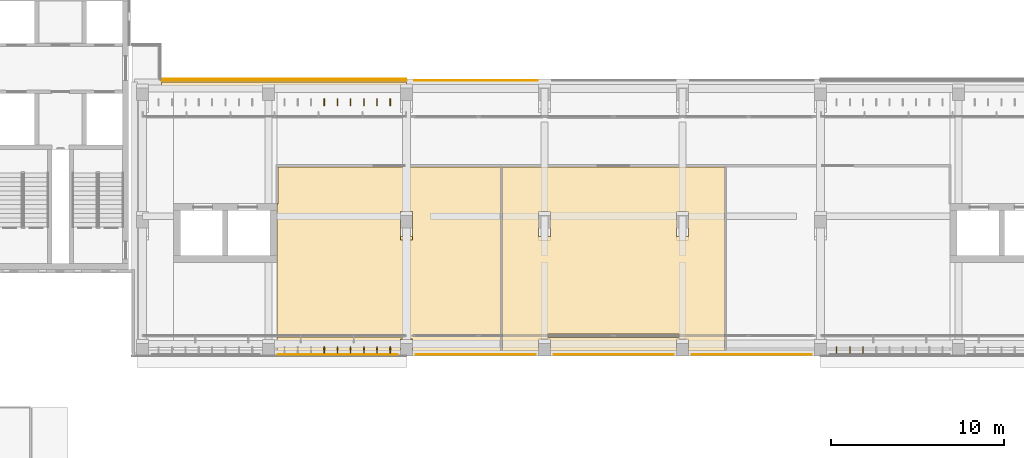
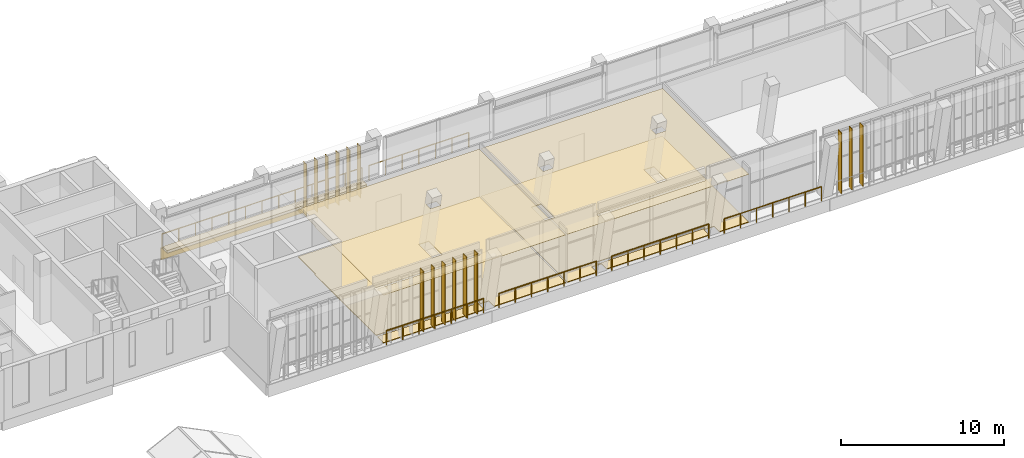
# One storey, part 55 of 73: 15 shading devices, 6 coverings, 6 railings.
"""IFC4 building model written with IfcOpenShell, lengths in metres."""

from ifc_helpers import new_model, si_unit, direction, frame, frame_2d, origin, origin_2d, place, context, subcontext, project, spatial, polyline, rectangle, circle, outline, extrude, material, layer, layer_set, type_object, element, save


model = new_model("IFC4")

# Units and contexts
model_context = context("Model", 3, precision=1e-05, world=origin(), true_north=direction((0.0, 1.0)))
body_context = subcontext(model_context, "Body", "Model", "MODEL_VIEW")
ifc_project = project(units=[si_unit("LENGTHUNIT", "METRE"), si_unit("AREAUNIT", "SQUARE_METRE"), si_unit("VOLUMEUNIT", "CUBIC_METRE"), si_unit("PLANEANGLEUNIT", "RADIAN"), si_unit("MASSUNIT", "GRAM", prefix="KILO")], contexts=[model_context])

# Site, building, storey
site_placement = place(None, origin())
site = spatial("IfcSite", under=ifc_project, at=site_placement, CompositionType="ELEMENT")
building_placement = place(site_placement, origin())
building = spatial("IfcBuilding", under=site, at=building_placement, Name="Lantern Court Media Centre", CompositionType="ELEMENT")
storey_placement = place(building_placement, frame((0.0, 0.0, 24.0)))
storey = spatial("IfcBuildingStorey", under=building, at=storey_placement, Name="L05", CompositionType="ELEMENT", Elevation=24.0)

# Coverings
ifc_material_1 = material(Name="Carpet")
ifc_layer_1 = layer(ifc_material_1, 0.050048828125)
ifc_layer_set_1 = layer_set([ifc_layer_1], Name="Carpet")
covering_type_1 = type_object("IfcCoveringType", Name="Carpet floor finish", PredefinedType="FLOORING", material=ifc_layer_set_1)
covering_1_placement = place(storey_placement, origin())
element("IfcCovering", 1, at=covering_1_placement, inside=storey, type_object=covering_type_1, Name="Exhibition Gallery floor finish", PredefinedType="FLOORING", context=body_context, shape_type="SweptSolid", body=[
    extrude(outline(polyline([(32.5, 44.22998046875), (32.5048828125, 51.794921875), (32.5673828125, 51.800048828125), (32.5673828125, 53.9326171875), (45.445068359375, 53.9326171875), (45.445068359375, 43.300048828125), (40.35498046875, 43.300048828125), (40.35009765625, 43.955078125), (39.646484375, 43.95361328125), (39.64501953125, 43.300048828125), (32.5, 43.300048828125), (32.5, 44.070068359375), (39.804931640625, 44.074951171875), (39.800048828125, 44.22998046875), (32.5, 44.22998046875)]), holes=[polyline([(40.35009765625, 49.69091796875), (40.354736328125, 51.351806640625), (39.648193359375, 51.354736328125), (39.645263671875, 49.69384765625), (40.35009765625, 49.69091796875)])]), origin(), (0.0, 0.0, 1.0), 0.050048828125),
])
covering_2_placement = place(storey_placement, origin())
element("IfcCovering", 2, at=covering_2_placement, inside=storey, type_object=covering_type_1, Name="Community Room 01 floor finish", PredefinedType="FLOORING", context=body_context, shape_type="SweptSolid", body=[
    extrude(outline(polyline([(45.554931640625, 43.300048828125), (45.554931640625, 53.9326171875), (58.445068359375, 53.9326171875), (58.445068359375, 43.300048828125), (56.35498046875, 43.300048828125), (56.35009765625, 43.955078125), (55.646484375, 43.95361328125), (55.64501953125, 43.300048828125), (48.35498046875, 43.300048828125), (48.35009765625, 43.955078125), (47.646484375, 43.95361328125), (47.64501953125, 43.300048828125), (45.554931640625, 43.300048828125)]), holes=[polyline([(56.35009765625, 49.69091796875), (56.354736328125, 51.351806640625), (55.648193359375, 51.354736328125), (55.645263671875, 49.69384765625), (56.35009765625, 49.69091796875)]), polyline([(48.195068359375, 44.050048828125), (55.800048828125, 44.044921875), (55.804931640625, 44.25), (48.199951171875, 44.2548828125), (48.195068359375, 44.050048828125)]), polyline([(48.35009765625, 49.69091796875), (48.354736328125, 51.351806640625), (47.648193359375, 51.354736328125), (47.645263671875, 49.69384765625), (48.35009765625, 49.69091796875)])]), origin(), (0.0, 0.0, 1.0), 0.050048828125),
])

# Railings
ifc_material_2 = material(Name="Powder-coated steel", Category="steel")
railing_type_1 = type_object("IfcRailingType", Name="Floor edge guard 1100", PredefinedType="GUARDRAIL", material=ifc_material_2)
railing_1_placement = place(storey_placement, frame((39.470947265625, 43.06005859375, 0.0)))
element("IfcRailing", 3, at=railing_1_placement, inside=storey, type_object=railing_type_1, Name="L05 edge guard 171", PredefinedType="GUARDRAIL", context=body_context, shape_type="SweptSolid", body=[
    extrude(circle(Radius=0.02392578125, at=origin_2d()), frame((0.0, 0.0, 1.076171875), z_axis=(-1.0, 0.0, 0.0), x_axis=(0.0, -1.0, 0.0)), (0.0, 0.0, 1.0), 6.89794921875),
    extrude(circle(Radius=0.02099609375, at=origin_2d()), origin(), (0.0, 0.0, 1.0), 1.052001953125),
    extrude(circle(Radius=0.02099609375, at=origin_2d()), frame((-1.149658203125, 0.0, 0.0)), (0.0, 0.0, 1.0), 1.052001953125),
    extrude(circle(Radius=0.02099609375, at=origin_2d()), frame((-2.29931640625, 0.0, 0.0)), (0.0, 0.0, 1.0), 1.052001953125),
    extrude(circle(Radius=0.02099609375, at=origin_2d()), frame((-3.448974609375, 0.0, 0.0)), (0.0, 0.0, 1.0), 1.052001953125),
    extrude(circle(Radius=0.02099609375, at=origin_2d()), frame((-4.5986328125, 0.0, 0.0)), (0.0, 0.0, 1.0), 1.052001953125),
    extrude(circle(Radius=0.02099609375, at=origin_2d()), frame((-5.748291015625, 0.0, 0.0)), (0.0, 0.0, 1.0), 1.052001953125),
    extrude(circle(Radius=0.02099609375, at=origin_2d()), frame((-6.89794921875, 0.0, 0.0)), (0.0, 0.0, 1.0), 1.052001953125),
])
railing_2_placement = place(storey_placement, frame((40.485107421875, 58.93994140625, 0.0)))
element("IfcRailing", 4, at=railing_2_placement, inside=storey, type_object=railing_type_1, Name="L05 edge guard 174", PredefinedType="GUARDRAIL", context=body_context, shape_type="SweptSolid", body=[
    extrude(circle(Radius=0.02392578125, at=origin_2d()), frame((0.0, 0.0, 1.076171875), z_axis=(1.0, 0.0, 0.0), x_axis=(0.0, 1.0, 0.0)), (0.0, 0.0, 1.0), 7.097900390625),
    extrude(circle(Radius=0.02099609375, at=origin_2d()), origin(), (0.0, 0.0, 1.0), 1.052001953125),
    extrude(circle(Radius=0.02099609375, at=origin_2d()), frame((1.18310546875, 0.0, 0.0)), (0.0, 0.0, 1.0), 1.052001953125),
    extrude(circle(Radius=0.02099609375, at=origin_2d()), frame((2.365966796875, 0.0, 0.0)), (0.0, 0.0, 1.0), 1.052001953125),
    extrude(circle(Radius=0.02099609375, at=origin_2d()), frame((3.548828125, 0.0, 0.0)), (0.0, 0.0, 1.0), 1.052001953125),
    extrude(circle(Radius=0.02099609375, at=origin_2d()), frame((4.73193359375, 0.0, 0.0)), (0.0, 0.0, 1.0), 1.052001953125),
    extrude(circle(Radius=0.02099609375, at=origin_2d()), frame((5.9150390625, 0.0, 0.0)), (0.0, 0.0, 1.0), 1.052001953125),
    extrude(circle(Radius=0.02099609375, at=origin_2d()), frame((7.097900390625, 0.0, 0.0)), (0.0, 0.0, 1.0), 1.052001953125),
])
for number, where, name in (
    (5, (47.468994140625, 43.06005859375, 0.0), "L05 edge guard 175"),
    (6, (55.467041015625, 43.06005859375, 0.0), "L05 edge guard 179"),
):
    element("IfcRailing", number, at=place(storey_placement, frame(where)), inside=storey, type_object=railing_type_1, Name=name, PredefinedType="GUARDRAIL", context=body_context, shape_type="SweptSolid", body=[
        extrude(circle(Radius=0.02392578125, at=origin_2d()), frame((0.0, 0.0, 1.076171875), z_axis=(-1.0, 0.0, 0.0), x_axis=(0.0, -1.0, 0.0)), (0.0, 0.0, 1.0), 6.89794921875),
        extrude(circle(Radius=0.02099609375, at=origin_2d()), origin(), (0.0, 0.0, 1.0), 1.052001953125),
        extrude(circle(Radius=0.02099609375, at=origin_2d()), frame((-1.149658203125, 0.0, 0.0)), (0.0, 0.0, 1.0), 1.052001953125),
        extrude(circle(Radius=0.02099609375, at=origin_2d()), frame((-2.29931640625, 0.0, 0.0)), (0.0, 0.0, 1.0), 1.052001953125),
        extrude(circle(Radius=0.02099609375, at=origin_2d()), frame((-3.448974609375, 0.0, 0.0)), (0.0, 0.0, 1.0), 1.052001953125),
        extrude(circle(Radius=0.02099609375, at=origin_2d()), frame((-4.5986328125, 0.0, 0.0)), (0.0, 0.0, 1.0), 1.052001953125),
        extrude(circle(Radius=0.02099609375, at=origin_2d()), frame((-5.748291015625, 0.0, 0.0)), (0.0, 0.0, 1.0), 1.052001953125),
        extrude(circle(Radius=0.02099609375, at=origin_2d()), frame((-6.89794921875, 0.0, 0.0)), (0.0, 0.0, 1.0), 1.052001953125),
    ])
railing_3_placement = place(storey_placement, frame((63.465087890625, 43.06005859375, 0.0)))
element("IfcRailing", 7, at=railing_3_placement, inside=storey, type_object=railing_type_1, Name="L05 edge guard 183", PredefinedType="GUARDRAIL", context=body_context, shape_type="SweptSolid", body=[
    extrude(circle(Radius=0.02392578125, at=origin_2d()), frame((0.0, 0.0, 1.076171875), z_axis=(-1.0, 0.0, 0.0), x_axis=(0.0, -1.0, 0.0)), (0.0, 0.0, 1.0), 6.898193359375),
    extrude(circle(Radius=0.02099609375, at=origin_2d()), origin(), (0.0, 0.0, 1.0), 1.052001953125),
    extrude(circle(Radius=0.02099609375, at=origin_2d()), frame((-1.149658203125, 0.0, 0.0)), (0.0, 0.0, 1.0), 1.052001953125),
    extrude(circle(Radius=0.02099609375, at=origin_2d()), frame((-2.29931640625, 0.0, 0.0)), (0.0, 0.0, 1.0), 1.052001953125),
    extrude(circle(Radius=0.02099609375, at=origin_2d()), frame((-3.44921875, 0.0, 0.0)), (0.0, 0.0, 1.0), 1.052001953125),
    extrude(circle(Radius=0.02099609375, at=origin_2d()), frame((-4.598876953125, 0.0, 0.0)), (0.0, 0.0, 1.0), 1.052001953125),
    extrude(circle(Radius=0.02099609375, at=origin_2d()), frame((-5.74853515625, 0.0, 0.0)), (0.0, 0.0, 1.0), 1.052001953125),
    extrude(circle(Radius=0.02099609375, at=origin_2d()), frame((-6.898193359375, 0.0, 0.0)), (0.0, 0.0, 1.0), 1.052001953125),
])

# Covering
ifc_material_3 = material(Name="White glass-fibre reinforced cement cladding", Category="concrete")
ifc_layer_2 = layer(ifc_material_3, 0.050048828125)
ifc_layer_set_2 = layer_set([ifc_layer_2], Name="White glass-fibre reinforced cement cladding")
covering_type_2 = type_object("IfcCoveringType", Name="Floor-edge band 50", PredefinedType="CLADDING", material=ifc_layer_set_2)
covering_3_placement = place(storey_placement, frame((25.75, 59.02490234375, -0.89990234375), z_axis=(0.0, 0.0, 1.0), x_axis=(1.0, 0.0, 0.0)))
element("IfcCovering", 8, at=covering_3_placement, inside=storey, type_object=covering_type_2, Name="Floor-edge band S inner L05", PredefinedType="CLADDING", context=body_context, shape_type="SweptSolid", body=[
    extrude(rectangle(XDim=14.25, YDim=0.050048828125, at=frame_2d((7.125, 0.0))), origin(), (0.0, 0.0, 1.0), 0.89990234375),
])

# Railing
ifc_material_4 = material(Name="Painted mild steel balustrade", Category="steel")
railing_type_2 = type_object("IfcRailingType", Name="Guard 1100 steel balustrade", PredefinedType="GUARDRAIL", material=ifc_material_4)
railing_4_placement = place(storey_placement, frame((25.800048828125, 58.949951171875, 0.0)))
element("IfcRailing", 9, at=railing_4_placement, inside=storey, type_object=railing_type_2, Name="Ledge guard S L05", PredefinedType="GUARDRAIL", context=body_context, shape_type="SweptSolid", body=[
    extrude(circle(Radius=0.02392578125, at=origin_2d()), frame((0.0, 0.0, 1.076171875), z_axis=(1.0, 0.0, 0.0), x_axis=(0.0, 1.0, 0.0)), (0.0, 0.0, 1.0), 14.199951171875),
    extrude(circle(Radius=0.02099609375, at=origin_2d()), origin(), (0.0, 0.0, 1.0), 1.052001953125),
    extrude(circle(Radius=0.02099609375, at=origin_2d()), frame((1.183349609375, 0.0, 0.0)), (0.0, 0.0, 1.0), 1.052001953125),
    extrude(circle(Radius=0.02099609375, at=origin_2d()), frame((2.36669921875, 0.0, 0.0)), (0.0, 0.0, 1.0), 1.052001953125),
    extrude(circle(Radius=0.02099609375, at=origin_2d()), frame((3.550048828125, 0.0, 0.0)), (0.0, 0.0, 1.0), 1.052001953125),
    extrude(circle(Radius=0.02099609375, at=origin_2d()), frame((4.7333984375, 0.0, 0.0)), (0.0, 0.0, 1.0), 1.052001953125),
    extrude(circle(Radius=0.02099609375, at=origin_2d()), frame((5.916748046875, 0.0, 0.0)), (0.0, 0.0, 1.0), 1.052001953125),
    extrude(circle(Radius=0.02099609375, at=origin_2d()), frame((7.10009765625, 0.0, 0.0)), (0.0, 0.0, 1.0), 1.052001953125),
    extrude(circle(Radius=0.02099609375, at=origin_2d()), frame((8.283203125, 0.0, 0.0)), (0.0, 0.0, 1.0), 1.052001953125),
    extrude(circle(Radius=0.02099609375, at=origin_2d()), frame((9.466552734375, 0.0, 0.0)), (0.0, 0.0, 1.0), 1.052001953125),
    extrude(circle(Radius=0.02099609375, at=origin_2d()), frame((10.64990234375, 0.0, 0.0)), (0.0, 0.0, 1.0), 1.052001953125),
    extrude(circle(Radius=0.02099609375, at=origin_2d()), frame((11.833251953125, 0.0, 0.0)), (0.0, 0.0, 1.0), 1.052001953125),
    extrude(circle(Radius=0.02099609375, at=origin_2d()), frame((13.0166015625, 0.0, 0.0)), (0.0, 0.0, 1.0), 1.052001953125),
    extrude(circle(Radius=0.02099609375, at=origin_2d()), frame((14.199951171875, 0.0, 0.0)), (0.0, 0.0, 1.0), 1.052001953125),
])

# Coverings
ifc_material_5 = material(Name="Planting substrate")
ifc_layer_3 = layer(ifc_material_5, 0.199951171875)
ifc_layer_set_3 = layer_set([ifc_layer_3], Name="Planting substrate")
covering_type_3 = type_object("IfcCoveringType", Name="Planted ledge build-up 200", PredefinedType="ROOFING", material=ifc_layer_set_3)
covering_4_placement = place(storey_placement, origin())
element("IfcCovering", 10, at=covering_4_placement, inside=storey, type_object=covering_type_3, Name="Planted ledge S L05", PredefinedType="ROOFING", context=body_context, shape_type="SweptSolid", body=[
    extrude(outline(polyline([(25.800048828125, 58.85009765625), (40.0, 58.85009765625), (40.0, 58.320068359375), (25.800048828125, 58.320068359375), (25.800048828125, 58.85009765625)])), origin(), (0.0, 0.0, 1.0), 0.199951171875),
])
ifc_material_6 = material(Name="Mineral fibre ceiling tile")
ifc_layer_4 = layer(ifc_material_6, 0.02001953125)
ifc_layer_set_4 = layer_set([ifc_layer_4], Name="Mineral fibre ceiling tile")
covering_type_4 = type_object("IfcCoveringType", Name="Suspended ceiling tile", PredefinedType="CEILING", material=ifc_layer_set_4)
covering_5_placement = place(storey_placement, frame((0.0, 0.0, 3.60009765625)))
element("IfcCovering", 11, at=covering_5_placement, inside=storey, type_object=covering_type_4, Name="Exhibition Gallery ceiling", PredefinedType="CEILING", context=body_context, shape_type="SweptSolid", body=[
    extrude(outline(polyline([(32.5, 44.2255859375), (32.50048828125, 51.799560546875), (32.56298828125, 51.800048828125), (32.56298828125, 53.93701171875), (45.449462890625, 53.93701171875), (45.449462890625, 43.300048828125), (32.5, 43.300048828125), (32.5, 44.074462890625), (39.800537109375, 44.074951171875), (39.800048828125, 44.2255859375), (32.5, 44.2255859375)]), holes=[polyline([(40.3505859375, 50.395751953125), (39.649658203125, 50.396240234375), (39.649658203125, 49.897705078125), (40.350341796875, 49.8974609375), (40.3505859375, 50.395751953125)])]), origin(), (0.0, 0.0, 1.0), 0.02001953125),
])
covering_6_placement = place(storey_placement, frame((0.0, 0.0, 3.60009765625)))
element("IfcCovering", 12, at=covering_6_placement, inside=storey, type_object=covering_type_4, Name="Community Room 01 ceiling", PredefinedType="CEILING", context=body_context, shape_type="SweptSolid", body=[
    extrude(outline(polyline([(45.550537109375, 43.300048828125), (45.550537109375, 53.93701171875), (58.449462890625, 53.93701171875), (58.449462890625, 43.300048828125), (45.550537109375, 43.300048828125)]), holes=[polyline([(56.3505859375, 50.395751953125), (55.649658203125, 50.396240234375), (55.649658203125, 49.897705078125), (56.350341796875, 49.8974609375), (56.3505859375, 50.395751953125)]), polyline([(48.199462890625, 44.050048828125), (55.800048828125, 44.049560546875), (55.800537109375, 44.25), (48.199951171875, 44.25048828125), (48.199462890625, 44.050048828125)]), polyline([(48.3505859375, 50.395751953125), (47.649658203125, 50.396240234375), (47.649658203125, 49.897705078125), (48.350341796875, 49.8974609375), (48.3505859375, 50.395751953125)])]), origin(), (0.0, 0.0, 1.0), 0.02001953125),
])

# Shading devices
ifc_material_7 = material(Name="Bronze anodised aluminium louvre", Category="aluminium")
ifc_layer_5 = layer(ifc_material_7, 0.0400390625)
ifc_layer_set_5 = layer_set([ifc_layer_5], Name="Bronze anodised aluminium louvre")
shading_device_type_1 = type_object("IfcShadingDeviceType", Name="Vertical louvre 40x400 full storey", PredefinedType="USERDEFINED", material=ifc_layer_set_5)
for number, where, z_axis, x_axis, name in (
    (13, (35.2333984375, 43.320068359375, 0.0), (0.0, 0.0, 1.0), (1.0, 0.0, 0.0), "Vertical louvre S outer L05"),
    (14, (36.0, 43.320068359375, 0.0), (0.0, 0.0, 1.0), (1.0, 0.0, 0.0), "Vertical louvre S outer L05"),
    (15, (36.7666015625, 43.320068359375, 0.0), (0.0, 0.0, 1.0), (1.0, 0.0, 0.0), "Vertical louvre S outer L05"),
    (16, (37.533447265625, 43.320068359375, 0.0), (0.0, 0.0, 1.0), (1.0, 0.0, 0.0), "Vertical louvre S outer L05"),
    (17, (38.300048828125, 43.320068359375, 0.0), (0.0, 0.0, 1.0), (1.0, 0.0, 0.0), "Vertical louvre S outer L05"),
    (18, (39.066650390625, 43.320068359375, 0.0), (0.0, 0.0, 1.0), (1.0, 0.0, 0.0), "Vertical louvre S outer L05"),
    (19, (64.933349609375, 43.320068359375, 0.0), (0.0, 0.0, 1.0), (1.0, 0.0, 0.0), "Vertical louvre S outer L05"),
    (20, (65.699951171875, 43.320068359375, 0.0), (0.0, 0.0, 1.0), (1.0, 0.0, 0.0), "Vertical louvre S outer L05"),
    (21, (66.466552734375, 43.320068359375, 0.0), (0.0, 0.0, 1.0), (1.0, 0.0, 0.0), "Vertical louvre S outer L05"),
):
    element("IfcShadingDevice", number, at=place(storey_placement, frame(where, z_axis=z_axis, x_axis=x_axis)), inside=storey, type_object=shading_device_type_1, Name=name, ObjectType="VERTICAL LOUVRE", PredefinedType="USERDEFINED", context=body_context, shape_type="SweptSolid", body=[
        extrude(rectangle(XDim=0.0400390625, YDim=0.39990234375, at=origin_2d()), origin(), (0.0, 0.0, 1.0), 4.580078125),
    ])
ifc_layer_6 = layer(ifc_material_7, 0.0400390625)
ifc_layer_set_6 = layer_set([ifc_layer_6], Name="Bronze anodised aluminium louvre")
shading_device_type_2 = type_object("IfcShadingDeviceType", Name="Vertical louvre 40x400 under beam", PredefinedType="USERDEFINED", material=ifc_layer_set_6)
for number, where, z_axis, x_axis, name in (
    (22, (35.2333984375, 57.679931640625, 0.0), (0.0, 0.0, 1.0), (1.0, 0.0, 0.0), "Vertical louvre S inner L05"),
    (23, (36.0, 57.679931640625, 0.0), (0.0, 0.0, 1.0), (1.0, 0.0, 0.0), "Vertical louvre S inner L05"),
    (24, (36.7666015625, 57.679931640625, 0.0), (0.0, 0.0, 1.0), (1.0, 0.0, 0.0), "Vertical louvre S inner L05"),
    (25, (37.533447265625, 57.679931640625, 0.0), (0.0, 0.0, 1.0), (1.0, 0.0, 0.0), "Vertical louvre S inner L05"),
    (26, (38.300048828125, 57.679931640625, 0.0), (0.0, 0.0, 1.0), (1.0, 0.0, 0.0), "Vertical louvre S inner L05"),
    (27, (39.066650390625, 57.679931640625, 0.0), (0.0, 0.0, 1.0), (1.0, 0.0, 0.0), "Vertical louvre S inner L05"),
):
    element("IfcShadingDevice", number, at=place(storey_placement, frame(where, z_axis=z_axis, x_axis=x_axis)), inside=storey, type_object=shading_device_type_2, Name=name, ObjectType="VERTICAL LOUVRE", PredefinedType="USERDEFINED", context=body_context, shape_type="SweptSolid", body=[
        extrude(rectangle(XDim=0.0400390625, YDim=0.39990234375, at=origin_2d()), origin(), (0.0, 0.0, 1.0), 3.89990234375),
    ])

save(model, "model.ifc")
